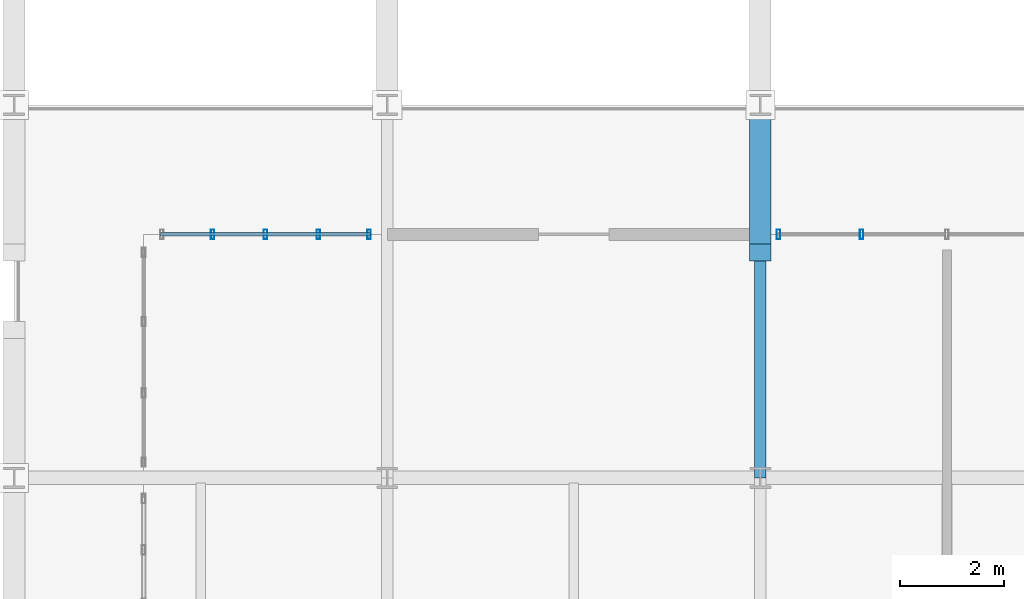
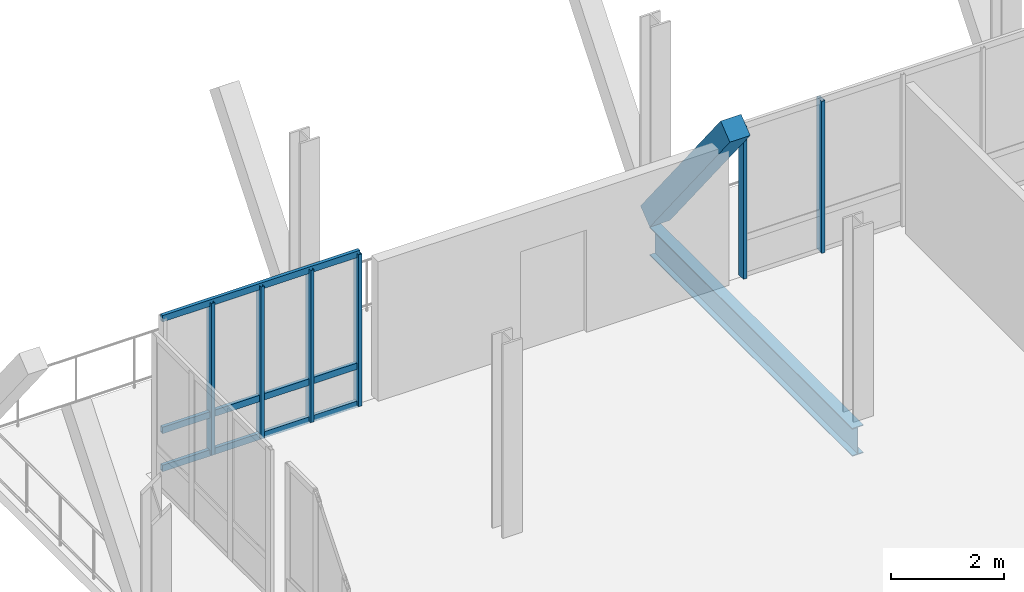
# One storey, part 37 of 102: 10 members, 1 beam, 2 elements without a shape of their own.
"""IFC4 building model written with IfcOpenShell, lengths in metres."""

from ifc_helpers import new_model, si_unit, direction, frame, origin, origin_2d, place, context, subcontext, project, spatial, rectangle, hollow_rectangle, i_section, extrude, material, material_profile, profile_set, type_object, element, aggregate, save


model = new_model("IFC4")

# Units and contexts
model_context = context("Model", 3, precision=1e-05, world=origin(), true_north=direction((0.0, 1.0)))
body_context = subcontext(model_context, "Body", "Model", "MODEL_VIEW")
ifc_project = project(units=[si_unit("LENGTHUNIT", "METRE"), si_unit("AREAUNIT", "SQUARE_METRE"), si_unit("VOLUMEUNIT", "CUBIC_METRE"), si_unit("PLANEANGLEUNIT", "RADIAN"), si_unit("MASSUNIT", "GRAM", prefix="KILO")], contexts=[model_context])

# Site, building, storey
site_placement = place(None, origin())
site = spatial("IfcSite", under=ifc_project, at=site_placement, CompositionType="ELEMENT")
building_placement = place(site_placement, origin())
building = spatial("IfcBuilding", under=site, at=building_placement, Name="Yarey Park Central Fire Station", CompositionType="ELEMENT")
storey_placement = place(building_placement, frame((0.0, 0.0, 6.0)))
storey = spatial("IfcBuildingStorey", under=building, at=storey_placement, Name="L02", CompositionType="ELEMENT", Elevation=6.0)

# Curtain wall, members
ifc_material_1 = material(Name="Anodized Aluminium Frame", Category="aluminium")
curtain_wall_type = type_object("IfcCurtainWallType", Name="ENV_CW_V3_GALN", PredefinedType="NOTDEFINED", material=ifc_material_1)
curtain_wall_1_placement = place(storey_placement, origin())
curtain_wall_1 = element("IfcCurtainWall", 1, at=curtain_wall_1_placement, inside=storey, type_object=curtain_wall_type, Name="CW_L02_V3_N_040", PredefinedType="NOTDEFINED")
ifc_material_profile_1 = material_profile(ifc_material_1, hollow_rectangle(XDim=0.070068359375, YDim=0.179931640625, WallThickness=0.00390625, at=origin_2d()), Name="ALU 180x70x4")
ifc_profile_set_1 = profile_set([ifc_material_profile_1], Name="Anodized Aluminium Frame")
member_type_1 = type_object("IfcMemberType", Name="ENV_CW_MULLION", PredefinedType="MULLION", material=ifc_profile_set_1)
member_1_placement = place(storey_placement, frame((35.64990234375, 83.89990234375, 0.0), z_axis=(0.0, 0.0, 1.0), x_axis=(1.0, 0.0, 0.0)))
member_1 = element("IfcMember", 2, at=member_1_placement, type_object=member_type_1, Name="CW_L02_V3_N_040_MUL1", PredefinedType="MULLION", context=body_context, shape_type="SweptSolid", body=[
    extrude(hollow_rectangle(XDim=0.070068359375, YDim=0.179931640625, WallThickness=0.00390625, at=origin_2d()), origin(), (0.0, 0.0, 1.0), 3.300048828125),
])
member_2_placement = place(storey_placement, frame((34.669921875, 83.89990234375, 0.0), z_axis=(0.0, 0.0, 1.0), x_axis=(1.0, 0.0, 0.0)))
member_2 = element("IfcMember", 3, at=member_2_placement, type_object=member_type_1, Name="CW_L02_V3_N_040_MUL2", PredefinedType="MULLION", context=body_context, shape_type="SweptSolid", body=[
    extrude(hollow_rectangle(XDim=0.070068359375, YDim=0.179931640625, WallThickness=0.00390625, at=origin_2d()), origin(), (0.0, 0.0, 1.0), 3.300048828125),
])
member_3_placement = place(storey_placement, frame((33.64990234375, 83.89990234375, 0.0), z_axis=(0.0, 0.0, 1.0), x_axis=(1.0, 0.0, 0.0)))
member_3 = element("IfcMember", 4, at=member_3_placement, type_object=member_type_1, Name="CW_L02_V3_N_040_MUL3", PredefinedType="MULLION", context=body_context, shape_type="SweptSolid", body=[
    extrude(hollow_rectangle(XDim=0.070068359375, YDim=0.179931640625, WallThickness=0.00390625, at=origin_2d()), origin(), (0.0, 0.0, 1.0), 3.300048828125),
])
member_4_placement = place(storey_placement, frame((32.6298828125, 83.89990234375, 0.0), z_axis=(0.0, 0.0, 1.0), x_axis=(1.0, 0.0, 0.0)))
member_4 = element("IfcMember", 5, at=member_4_placement, type_object=member_type_1, Name="CW_L02_V3_N_040_MUL4", PredefinedType="MULLION", context=body_context, shape_type="SweptSolid", body=[
    extrude(hollow_rectangle(XDim=0.070068359375, YDim=0.179931640625, WallThickness=0.00390625, at=origin_2d()), origin(), (0.0, 0.0, 1.0), 3.300048828125),
])

curtain_wall_2_placement = place(storey_placement, origin())
curtain_wall_2 = element("IfcCurtainWall", 6, at=curtain_wall_2_placement, inside=storey, type_object=curtain_wall_type, Name="CW_L02_V3_N_041", PredefinedType="NOTDEFINED")
member_5_placement = place(storey_placement, frame((45.155029296875, 83.89990234375, 0.0), z_axis=(0.0, 0.0, 1.0), x_axis=(1.0, 0.0, 0.0)))
member_5 = element("IfcMember", 7, at=member_5_placement, type_object=member_type_1, Name="CW_L02_V3_N_041_MUL4", PredefinedType="MULLION", context=body_context, shape_type="SweptSolid", body=[
    extrude(hollow_rectangle(XDim=0.070068359375, YDim=0.179931640625, WallThickness=0.00390625, at=origin_2d()), origin(), (0.0, 0.0, 1.0), 3.300048828125),
])
member_6_placement = place(storey_placement, frame((43.550048828125, 83.89990234375, 0.0), z_axis=(0.0, 0.0, 1.0), x_axis=(1.0, 0.0, 0.0)))
member_6 = element("IfcMember", 8, at=member_6_placement, type_object=member_type_1, Name="CW_L02_V3_N_041_MUL5", PredefinedType="MULLION", context=body_context, shape_type="SweptSolid", body=[
    extrude(hollow_rectangle(XDim=0.070068359375, YDim=0.179931640625, WallThickness=0.00390625, at=origin_2d()), origin(), (0.0, 0.0, 1.0), 3.300048828125),
])
aggregate(curtain_wall_2, [member_5, member_6])

# Member
ifc_material_profile_2 = material_profile(ifc_material_1, hollow_rectangle(XDim=0.070068359375, YDim=0.139892578125, WallThickness=0.00390625, at=origin_2d()), Name="ALU 140x70x4")
ifc_profile_set_2 = profile_set([ifc_material_profile_2], Name="Anodized Aluminium Frame")
member_type_2 = type_object("IfcMemberType", Name="ENV_CW_TRANSOM", PredefinedType="USERDEFINED", material=ifc_profile_set_2)
member_7_placement = place(storey_placement, frame((35.675048828125, 83.89990234375, 0.02490234375), z_axis=(-1.0, 0.0, 0.0), x_axis=(0.0, -1.0, 0.0)))
member_7 = element("IfcMember", 9, at=member_7_placement, type_object=member_type_2, Name="CW_L02_V3_N_040_TRN1", ObjectType="TRANSOM", PredefinedType="USERDEFINED", context=body_context, shape_type="SweptSolid", body=[
    extrude(hollow_rectangle(XDim=0.070068359375, YDim=0.139892578125, WallThickness=0.00390625, at=origin_2d()), origin(), (0.0, 0.0, 1.0), 4.050048828125),
])

member_8_placement = place(storey_placement, frame((35.675048828125, 83.89990234375, 0.85009765625), z_axis=(-1.0, 0.0, 0.0), x_axis=(0.0, -1.0, 0.0)))
member_8 = element("IfcMember", 10, at=member_8_placement, type_object=member_type_2, Name="CW_L02_V3_N_040_TRN2", ObjectType="TRANSOM", PredefinedType="USERDEFINED", context=body_context, shape_type="SweptSolid", body=[
    extrude(hollow_rectangle(XDim=0.070068359375, YDim=0.139892578125, WallThickness=0.00390625, at=origin_2d()), origin(), (0.0, 0.0, 1.0), 4.050048828125),
])

member_9_placement = place(storey_placement, frame((35.675048828125, 83.89990234375, 3.27490234375), z_axis=(-1.0, 0.0, 0.0), x_axis=(0.0, -1.0, 0.0)))
member_9 = element("IfcMember", 11, at=member_9_placement, type_object=member_type_2, Name="CW_L02_V3_N_040_TRN3", ObjectType="TRANSOM", PredefinedType="USERDEFINED", context=body_context, shape_type="SweptSolid", body=[
    extrude(hollow_rectangle(XDim=0.070068359375, YDim=0.139892578125, WallThickness=0.00390625, at=origin_2d()), origin(), (0.0, 0.0, 1.0), 4.050048828125),
])

aggregate(curtain_wall_1, [member_1, member_2, member_3, member_4, member_7, member_8, member_9])

# Beam
ifc_material_2 = material(Name="Steel ASTM A992 Gr. 50", Category="steel")
ifc_material_profile_3 = material_profile(ifc_material_2, i_section(OverallWidth=0.22900390625, OverallDepth=0.612060546875, WebThickness=0.011962890625, FlangeThickness=0.01953125, at=origin_2d()), Name="W610x125")
ifc_profile_set_3 = profile_set([ifc_material_profile_3], Name="Steel ASTM A992 Gr. 50")
beam_type = type_object("IfcBeamType", Name="STR_BM_W610", PredefinedType="BEAM", material=ifc_profile_set_3)
beam_placement = place(storey_placement, frame((43.199951171875, 79.199951171875, -0.591064453125), z_axis=(0.0, 1.0, 0.0), x_axis=(-1.0, 0.0, 0.0)))
element("IfcBeam", 12, at=beam_placement, inside=storey, type_object=beam_type, Name="BMY L02 X432 Y792", PredefinedType="BEAM", context=body_context, shape_type="SweptSolid", body=[
    extrude(i_section(OverallWidth=0.22900390625, OverallDepth=0.612060546875, WebThickness=0.011962890625, FlangeThickness=0.01953125, at=origin_2d()), origin(), (0.0, 0.0, 1.0), 7.199951171875),
])

# Member
ifc_material_3 = material(Name="Glulam GL28h", Category="wood")
ifc_material_profile_4 = material_profile(ifc_material_3, rectangle(XDim=0.419921875, YDim=0.419921875, at=origin_2d()), Name="GL 420x420")
ifc_profile_set_4 = profile_set([ifc_material_profile_4], Name="Glulam GL28h")
member_type_3 = type_object("IfcMemberType", Name="STR_STRUT_GL420", PredefinedType="STRUT", material=ifc_profile_set_4)
member_10_placement = place(storey_placement, frame((43.199951171875, 86.39990234375, -0.02001953125), z_axis=(0.0, -0.623866946252, 0.781530570979), x_axis=(1.0, 0.0, 0.0)))
element("IfcMember", 13, at=member_10_placement, inside=storey, type_object=member_type_3, Name="Raked Glulam Strut RGS-05", PredefinedType="STRUT", context=body_context, shape_type="SweptSolid", body=[
    extrude(rectangle(XDim=0.419921875, YDim=0.419921875, at=origin_2d()), origin(), (0.0, 0.0, 1.0), 4.568115234375),
])

save(model, "model.ifc")
